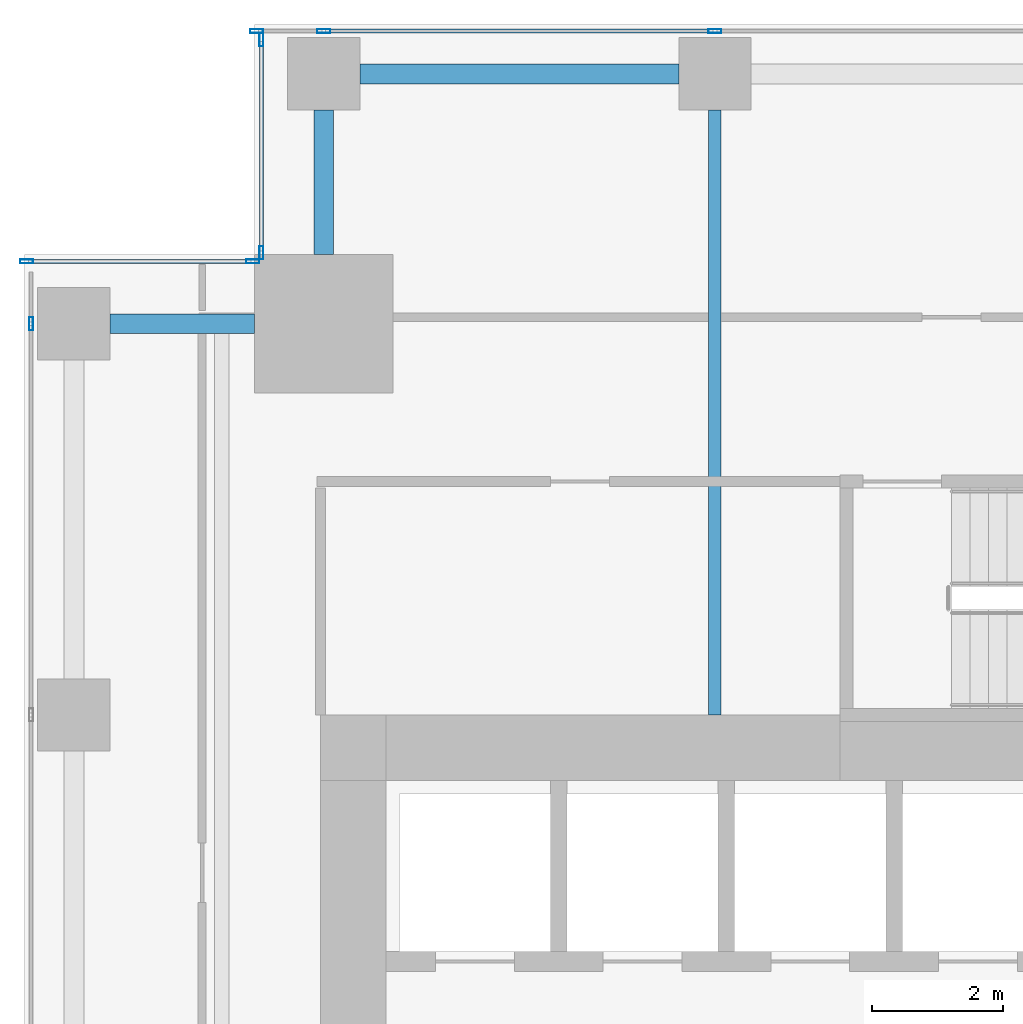
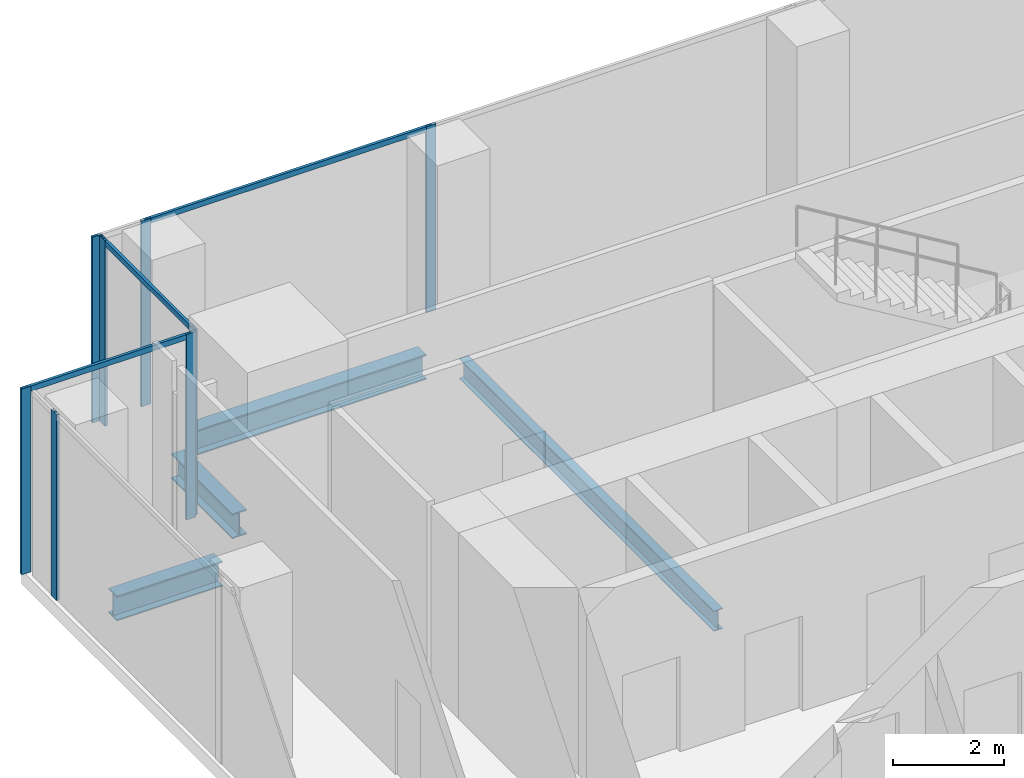
# One storey, part 16 of 35: 11 members, 4 beams, 4 elements without a shape of their own.
"""IFC4 building model written with IfcOpenShell, lengths in metres."""

from ifc_helpers import new_model, si_unit, direction, frame, origin, origin_2d, place, context, subcontext, project, spatial, hollow_rectangle, i_section, extrude, source, transform, mapped, material, material_profile, profile_set, type_object, element, aggregate, save


model = new_model("IFC4")

# Units and contexts
model_context = context("Model", 3, precision=1e-05, world=origin(), true_north=direction((0.0, 1.0)))
body_context = subcontext(model_context, "Body", "Model", "MODEL_VIEW")
ifc_project = project(units=[si_unit("LENGTHUNIT", "METRE"), si_unit("AREAUNIT", "SQUARE_METRE"), si_unit("VOLUMEUNIT", "CUBIC_METRE"), si_unit("PLANEANGLEUNIT", "RADIAN"), si_unit("MASSUNIT", "GRAM", prefix="KILO")], contexts=[model_context])

# Site, building, storey
site_placement = place(None, origin())
site = spatial("IfcSite", under=ifc_project, at=site_placement, CompositionType="ELEMENT")
building_placement = place(site_placement, origin())
building = spatial("IfcBuilding", under=site, at=building_placement, Name="Khomas Fold Tower", CompositionType="ELEMENT")
storey_placement = place(building_placement, frame((0.0, 0.0, 136.699951171875)))
storey = spatial("IfcBuildingStorey", under=building, at=storey_placement, Name="L29", CompositionType="ELEMENT", Elevation=136.699951171875)

# Beams
ifc_material_1 = material(Name="Steel S355", Category="steel")
ifc_material_profile_1 = material_profile(ifc_material_1, i_section(OverallWidth=0.300048828125, OverallDepth=0.550048828125, WebThickness=0.014892578125, FlangeThickness=0.029052734375, at=origin_2d()), Name="HE 550 B")
ifc_profile_set_1 = profile_set([ifc_material_profile_1], Name="Steel S355")
beam_type_1 = type_object("IfcBeamType", Name="HE 550 B spandrel SB2", PredefinedType="SPANDREL", material=ifc_profile_set_1)
shared_shape_1 = source(origin(), body_context, "Body", "SweptSolid", [
    extrude(i_section(OverallWidth=0.300048828125, OverallDepth=0.550048828125, WebThickness=0.014892578125, FlangeThickness=0.029052734375, at=origin_2d()), origin(), (0.0, 0.0, 1.0), 4.849853515625),
])
beam_1_placement = place(storey_placement, frame((6.60009765625, 51.75, -0.574951171875), z_axis=(1.0, 0.0, 0.0), x_axis=(0.0, 1.0, 0.0)))
element("IfcBeam", 1, at=beam_1_placement, inside=storey, type_object=beam_type_1, Name="SB2", PredefinedType="SPANDREL", context=body_context, shape_type="MappedRepresentation", body=[
    mapped(shared_shape_1, transform((0.0, 0.0, 0.0))),
])
shared_shape_2 = source(origin(), body_context, "Body", "SweptSolid", [
    extrude(i_section(OverallWidth=0.300048828125, OverallDepth=0.550048828125, WebThickness=0.014892578125, FlangeThickness=0.029052734375, at=origin_2d()), origin(), (0.0, 0.0, 1.0), 2.199951171875),
])
for number, where, z_axis, x_axis, name in (
    (2, (6.050048828125, 49.0, -0.574951171875), (0.0, 1.0, 0.0), (-1.0, 0.0, 0.0), "SB2"),
    (3, (2.800048828125, 47.949951171875, -0.574951171875), (1.0, 0.0, 0.0), (0.0, 1.0, 0.0), "SB2"),
):
    element("IfcBeam", number, at=place(storey_placement, frame(where, z_axis=z_axis, x_axis=x_axis)), inside=storey, type_object=beam_type_1, Name=name, PredefinedType="SPANDREL", context=body_context, shape_type="MappedRepresentation", body=[
        mapped(shared_shape_2, transform((0.0, 0.0, 0.0))),
    ])
ifc_material_2 = material(Name="Steel S355", Category="steel")
ifc_material_profile_2 = material_profile(ifc_material_2, i_section(OverallWidth=0.18994140625, OverallDepth=0.449951171875, WebThickness=0.009521484375, FlangeThickness=0.0146484375, at=origin_2d()), Name="IPE 450")
ifc_profile_set_2 = profile_set([ifc_material_profile_2], Name="Steel S355")
beam_type_2 = type_object("IfcBeamType", Name="IPE 450 beam JB4", PredefinedType="BEAM", material=ifc_profile_set_2)
shared_shape_3 = source(origin(), body_context, "Body", "SweptSolid", [
    extrude(i_section(OverallWidth=0.18994140625, OverallDepth=0.449951171875, WebThickness=0.009521484375, FlangeThickness=0.0146484375, at=origin_2d()), origin(), (0.0, 0.0, 1.0), 9.199951171875),
])
beam_2_placement = place(storey_placement, frame((12.0, 42.0, -0.52490234375), z_axis=(0.0, 1.0, 0.0), x_axis=(-1.0, 0.0, 0.0)))
element("IfcBeam", 4, at=beam_2_placement, inside=storey, type_object=beam_type_2, Name="JB4", PredefinedType="BEAM", context=body_context, shape_type="MappedRepresentation", body=[
    mapped(shared_shape_3, transform((0.0, 0.0, 0.0))),
])

# Curtain wall, members
ifc_material_3 = material(Name="Aluminium framed double glazing", Category="aluminium")
curtain_wall_type = type_object("IfcCurtainWallType", Name="SK-Unitised clear-glass wall, growing floors CW1", PredefinedType="NOTDEFINED", material=ifc_material_3)
curtain_wall_1_placement = place(storey_placement, origin())
curtain_wall_1 = element("IfcCurtainWall", 5, at=curtain_wall_1_placement, inside=storey, type_object=curtain_wall_type, Name="CW1 run L29 06-0", PredefinedType="NOTDEFINED")
ifc_material_4 = material(Name="Aluminium", Category="aluminium")
ifc_material_profile_3 = material_profile(ifc_material_4, hollow_rectangle(XDim=0.06005859375, YDim=0.199951171875, WallThickness=0.00390625, at=origin_2d()), Name="SK-Unitised clear-glass wall, growing floors mullion CW1-M")
ifc_profile_set_3 = profile_set([ifc_material_profile_3], Name="Aluminium")
member_type_1 = type_object("IfcMemberType", Name="SK-Unitised clear-glass wall, growing floors mullion CW1-M", PredefinedType="MULLION", material=ifc_profile_set_3)
shared_shape_4 = source(origin(), body_context, "Body", "SweptSolid", [
    extrude(hollow_rectangle(XDim=0.06005859375, YDim=0.199951171875, WallThickness=0.00390625, at=origin_2d()), origin(), (0.0, 0.0, 1.0), 4.10009765625),
])
member_1_placement = place(storey_placement, frame((12.0, 52.39990234375, 0.0), z_axis=(0.0, 0.0, 1.0), x_axis=(0.0, -1.0, 0.0)))
member_1 = element("IfcMember", 6, at=member_1_placement, type_object=member_type_1, Name="CW1 mullion 7", PredefinedType="MULLION", context=body_context, shape_type="MappedRepresentation", body=[
    mapped(shared_shape_4, transform((0.0, 0.0, 0.0))),
])
member_2_placement = place(storey_placement, frame((6.050048828125, 52.39990234375, 0.0), z_axis=(0.0, 0.0, 1.0), x_axis=(0.0, -1.0, 0.0)))
member_2 = element("IfcMember", 7, at=member_2_placement, type_object=member_type_1, Name="CW1 mullion 8", PredefinedType="MULLION", context=body_context, shape_type="MappedRepresentation", body=[
    mapped(shared_shape_4, transform((0.0, 0.0, 0.0))),
])
member_3_placement = place(storey_placement, frame((5.030029296875, 52.39990234375, 0.0), z_axis=(0.0, 0.0, 1.0), x_axis=(0.0, -1.0, 0.0)))
member_3 = element("IfcMember", 8, at=member_3_placement, type_object=member_type_1, Name="CW1 mullion 9", PredefinedType="MULLION", context=body_context, shape_type="MappedRepresentation", body=[
    mapped(shared_shape_4, transform((0.0, 0.0, 0.0))),
])

curtain_wall_2_placement = place(storey_placement, origin())
curtain_wall_2 = element("IfcCurtainWall", 9, at=curtain_wall_2_placement, inside=storey, type_object=curtain_wall_type, Name="CW1 corner return L29 07", PredefinedType="NOTDEFINED")
member_4_placement = place(storey_placement, frame((5.10009765625, 52.27001953125, 0.0), z_axis=(0.0, 0.0, 1.0), x_axis=(1.0, 0.0, 0.0)))
member_4 = element("IfcMember", 10, at=member_4_placement, type_object=member_type_1, Name="CW1 mullion 1", PredefinedType="MULLION", context=body_context, shape_type="MappedRepresentation", body=[
    mapped(shared_shape_4, transform((0.0, 0.0, 0.0))),
])
member_5_placement = place(storey_placement, frame((5.10009765625, 49.030029296875, 0.0), z_axis=(0.0, 0.0, 1.0), x_axis=(1.0, 0.0, 0.0)))
member_5 = element("IfcMember", 11, at=member_5_placement, type_object=member_type_1, Name="CW1 mullion 2", PredefinedType="MULLION", context=body_context, shape_type="MappedRepresentation", body=[
    mapped(shared_shape_4, transform((0.0, 0.0, 0.0))),
])

curtain_wall_3_placement = place(storey_placement, origin())
curtain_wall_3 = element("IfcCurtainWall", 12, at=curtain_wall_3_placement, inside=storey, type_object=curtain_wall_type, Name="CW1 corner return L29 08", PredefinedType="NOTDEFINED")
member_6_placement = place(storey_placement, frame((4.969970703125, 48.89990234375, 0.0), z_axis=(0.0, 0.0, 1.0), x_axis=(0.0, -1.0, 0.0)))
member_6 = element("IfcMember", 13, at=member_6_placement, type_object=member_type_1, Name="CW1 mullion 1", PredefinedType="MULLION", context=body_context, shape_type="MappedRepresentation", body=[
    mapped(shared_shape_4, transform((0.0, 0.0, 0.0))),
])
member_7_placement = place(storey_placement, frame((1.530029296875, 48.89990234375, 0.0), z_axis=(0.0, 0.0, 1.0), x_axis=(0.0, -1.0, 0.0)))
member_7 = element("IfcMember", 14, at=member_7_placement, type_object=member_type_1, Name="CW1 mullion 2", PredefinedType="MULLION", context=body_context, shape_type="MappedRepresentation", body=[
    mapped(shared_shape_4, transform((0.0, 0.0, 0.0))),
])

# Curtain wall, member
curtain_wall_4_placement = place(storey_placement, origin())
curtain_wall_4 = element("IfcCurtainWall", 15, at=curtain_wall_4_placement, inside=storey, type_object=curtain_wall_type, Name="CW1 run L29 09-0", PredefinedType="NOTDEFINED")
member_8_placement = place(storey_placement, frame((1.60009765625, 47.949951171875, 0.0), z_axis=(0.0, 0.0, 1.0), x_axis=(1.0, 0.0, 0.0)))
member_8 = element("IfcMember", 16, at=member_8_placement, type_object=member_type_1, Name="CW1 mullion 2", PredefinedType="MULLION", context=body_context, shape_type="MappedRepresentation", body=[
    mapped(shared_shape_4, transform((0.0, 0.0, 0.0))),
])
aggregate(curtain_wall_4, [member_8])

# Member
ifc_material_5 = material(Name="Aluminium", Category="aluminium")
ifc_material_profile_4 = material_profile(ifc_material_5, hollow_rectangle(XDim=0.06005859375, YDim=0.1201171875, WallThickness=0.00390625, at=origin_2d()), Name="SK-Unitised clear-glass wall, growing floors transom CW1-T")
ifc_profile_set_4 = profile_set([ifc_material_profile_4], Name="Aluminium")
member_type_2 = type_object("IfcMemberType", Name="SK-Unitised clear-glass wall, growing floors transom CW1-T", PredefinedType="USERDEFINED", material=ifc_profile_set_4)
shared_shape_5 = source(origin(), body_context, "Body", "SweptSolid", [
    extrude(hollow_rectangle(XDim=0.06005859375, YDim=0.1201171875, WallThickness=0.00390625, at=origin_2d()), origin(), (0.0, 0.0, 1.0), 5.889892578125),
])
member_9_placement = place(storey_placement, frame((11.969970703125, 52.39990234375, 4.0400390625), z_axis=(-1.0, 0.0, 0.0), x_axis=(0.0, -1.0, 0.0)))
member_9 = element("IfcMember", 17, at=member_9_placement, type_object=member_type_2, Name="CW1 transom 7", ObjectType="TRANSOM", PredefinedType="USERDEFINED", context=body_context, shape_type="MappedRepresentation", body=[
    mapped(shared_shape_5, transform((0.0, 0.0, 0.0))),
])

aggregate(curtain_wall_1, [member_1, member_2, member_3, member_9])

shared_shape_6 = source(origin(), body_context, "Body", "SweptSolid", [
    extrude(hollow_rectangle(XDim=0.06005859375, YDim=0.1201171875, WallThickness=0.00390625, at=origin_2d()), origin(), (0.0, 0.0, 1.0), 3.179931640625),
])
member_10_placement = place(storey_placement, frame((5.10009765625, 52.239990234375, 4.0400390625), z_axis=(0.0, -1.0, 0.0), x_axis=(1.0, 0.0, 0.0)))
member_10 = element("IfcMember", 18, at=member_10_placement, type_object=member_type_2, Name="CW1 transom 1", ObjectType="TRANSOM", PredefinedType="USERDEFINED", context=body_context, shape_type="MappedRepresentation", body=[
    mapped(shared_shape_6, transform((0.0, 0.0, 0.0))),
])

aggregate(curtain_wall_2, [member_4, member_5, member_10])

shared_shape_7 = source(origin(), body_context, "Body", "SweptSolid", [
    extrude(hollow_rectangle(XDim=0.06005859375, YDim=0.1201171875, WallThickness=0.00390625, at=origin_2d()), origin(), (0.0, 0.0, 1.0), 3.3798828125),
])
member_11_placement = place(storey_placement, frame((4.93994140625, 48.89990234375, 4.0400390625), z_axis=(-1.0, 0.0, 0.0), x_axis=(0.0, -1.0, 0.0)))
member_11 = element("IfcMember", 19, at=member_11_placement, type_object=member_type_2, Name="CW1 transom 1", ObjectType="TRANSOM", PredefinedType="USERDEFINED", context=body_context, shape_type="MappedRepresentation", body=[
    mapped(shared_shape_7, transform((0.0, 0.0, 0.0))),
])

aggregate(curtain_wall_3, [member_6, member_7, member_11])

save(model, "model.ifc")
